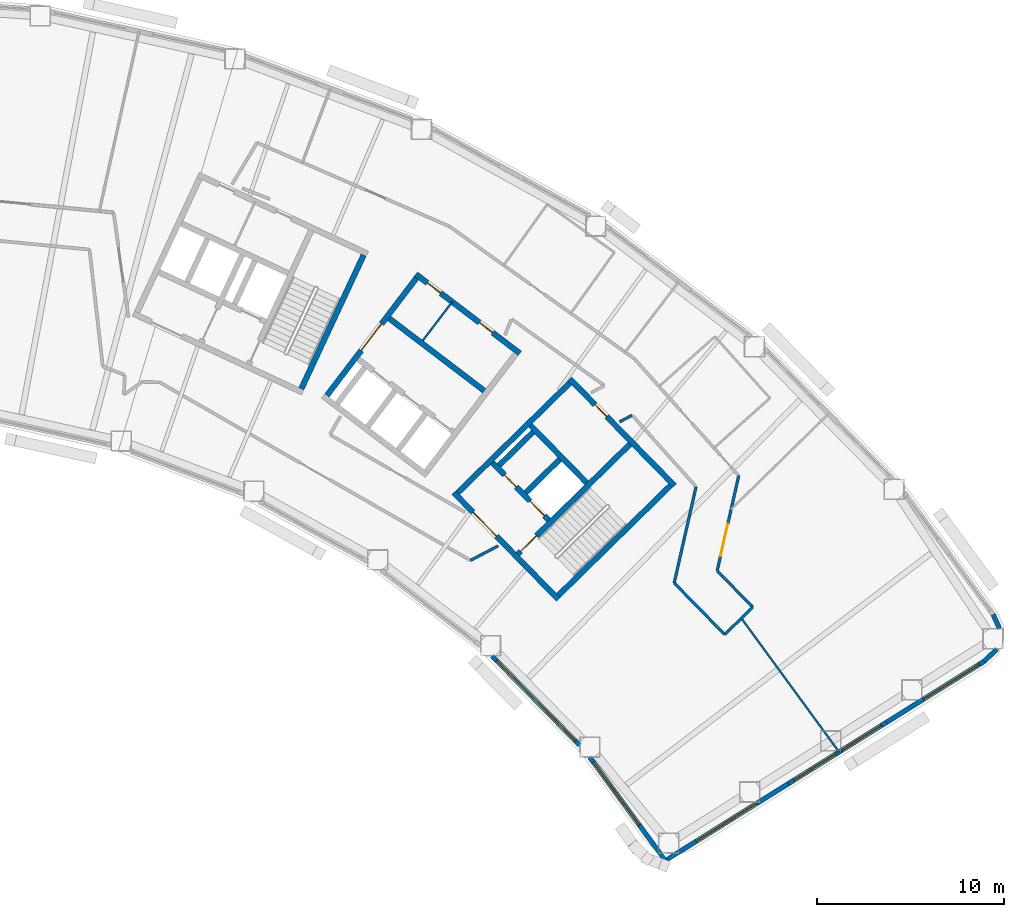
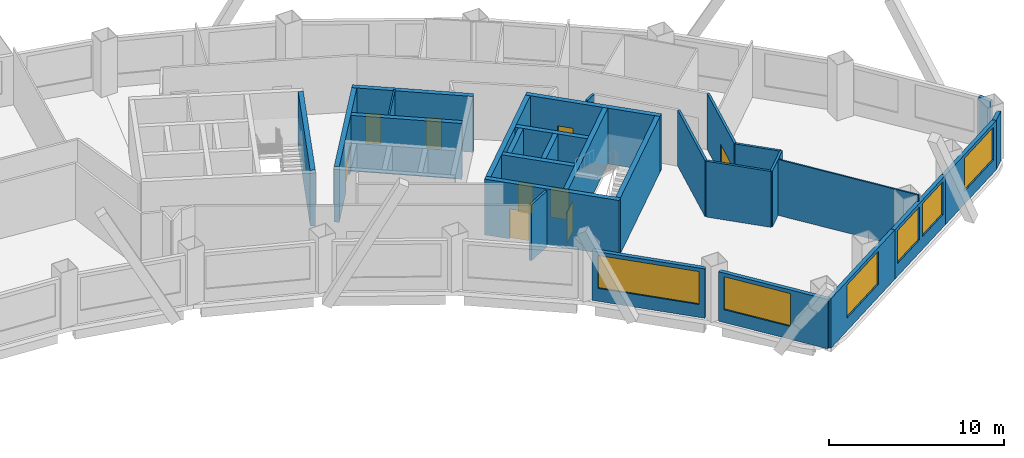
# One storey, part 6 of 11: 29 walls, 9 doors, 6 windows, 15 openings.
"""IFC4 building model written with IfcOpenShell, lengths in metres."""

from ifc_helpers import new_model, si_unit, direction, frame, frame_2d, origin, place, context, subcontext, project, spatial, rectangle, extrude, material, layer, layer_set, type_object, element, fill, save


model = new_model("IFC4")

# Units and contexts
model_context = context("Model", 3, precision=1e-05, world=origin(), true_north=direction((0.0, 1.0)))
body_context = subcontext(model_context, "Body", "Model", "MODEL_VIEW")
ifc_project = project(units=[si_unit("LENGTHUNIT", "METRE"), si_unit("AREAUNIT", "SQUARE_METRE"), si_unit("VOLUMEUNIT", "CUBIC_METRE"), si_unit("PLANEANGLEUNIT", "RADIAN"), si_unit("MASSUNIT", "GRAM", prefix="KILO")], contexts=[model_context])

# Site, building, storey
site_placement = place(None, origin())
site = spatial("IfcSite", under=ifc_project, at=site_placement, CompositionType="ELEMENT")
building_placement = place(site_placement, origin())
building = spatial("IfcBuilding", under=site, at=building_placement, Name="Tuul Gate Civic Tower", CompositionType="ELEMENT")
storey_placement = place(building_placement, frame((0.0, 0.0, 107.699951171875)))
storey = spatial("IfcBuildingStorey", under=building, at=storey_placement, Name="Level 24", CompositionType="ELEMENT", Elevation=107.699951171875)

# Wall, opening, door
ifc_material_1 = material(Name="Concrete C50/60", Category="concrete")
ifc_layer_1 = layer(ifc_material_1, 0.300048828125)
ifc_layer_set_1 = layer_set([ifc_layer_1], Name="Concrete C50/60")
wall_type_1 = type_object("IfcWallType", Name="Core wall C50/60", PredefinedType="SHEAR", material=ifc_layer_set_1)
wall_1_placement = place(storey_placement, frame((48.22509765625, -18.327880859375, 0.0), z_axis=(0.0, 0.0, 1.0), x_axis=(-0.700021979774, 0.714121297703, 0.0)))
wall_1 = element("IfcWall", 1, at=wall_1_placement, inside=storey, type_object=wall_type_1, Name="Core wall", PredefinedType="SHEAR", context=body_context, shape_type="SweptSolid", body=[
    extrude(rectangle(XDim=8.0, YDim=0.300048828125, at=frame_2d((4.0, 0.0))), origin(), (0.0, 0.0, 1.0), 3.900146484375),
])
opening_1_placement = place(wall_1_placement, frame((4.72509765625, 0.0, 0.0)))
opening_1 = element("IfcOpeningElement", 2, at=opening_1_placement, cuts=wall_1, Name="Opening LB-E1-LOBBY-1", PredefinedType="OPENING", context=body_context, shape_type="SweptSolid", body=[
    extrude(rectangle(XDim=1.800048828125, YDim=2.10009765625, at=frame_2d((0.89990234375, 1.050048828125))), frame((0.0, 0.16015625, 0.0), z_axis=(0.0, -1.0, 0.0), x_axis=(1.0, 0.0, 0.0)), (0.0, 0.0, 1.0), 0.320068359375),
])
ifc_material_2 = material(Name="Steel", Category="steel")
door_type_1 = type_object("IfcDoorType", Name="Lobby door", OperationType="DOUBLE_DOOR_SINGLE_SWING", PredefinedType="DOOR", material=ifc_material_2)
door_1_placement = place(opening_1_placement, frame((1.800048828125, 0.0, 0.0), z_axis=(0.0, 0.0, 1.0), x_axis=(-1.0, 0.0, 0.0)))
door_1 = element("IfcDoor", 3, at=door_1_placement, inside=storey, type_object=door_type_1, Name="Lobby door E1-LOBBY", OperationType="DOUBLE_DOOR_SINGLE_SWING", OverallHeight=2.10009765625, OverallWidth=1.800048828125, PredefinedType="DOOR", context=body_context, shape_type="SweptSolid", body=[
    extrude(rectangle(XDim=1.800048828125, YDim=2.10009765625, at=frame_2d((0.900146484375, 1.050048828125))), frame((0.0, 0.02490234375, 0.0), z_axis=(0.0, -1.0, 0.0), x_axis=(1.0, 0.0, 0.0)), (0.0, 0.0, 1.0), 0.050048828125),
])
fill(opening_1, door_1)

# Wall, openings, doors
wall_2_placement = place(storey_placement, frame((47.701904296875, -14.079833984375, 0.0), z_axis=(0.0, 0.0, 1.0), x_axis=(-0.700002721075, 0.714140175657, 0.0)))
wall_2 = element("IfcWall", 4, at=wall_2_placement, inside=storey, type_object=wall_type_1, Name="Core wall", PredefinedType="SHEAR", context=body_context, shape_type="SweptSolid", body=[
    extrude(rectangle(XDim=4.300048828125, YDim=0.300048828125, at=frame_2d((2.14990234375, 0.0))), origin(), (0.0, 0.0, 1.0), 3.900146484375),
])
opening_2_placement = place(wall_2_placement, frame((0.324951171875, 0.0, 0.0)))
opening_2 = element("IfcOpeningElement", 5, at=opening_2_placement, cuts=wall_2, Name="Opening LD-L4", PredefinedType="OPENING", context=body_context, shape_type="SweptSolid", body=[
    extrude(rectangle(XDim=1.10009765625, YDim=2.10009765625, at=frame_2d((0.550048828125, 1.050048828125))), frame((0.0, 0.16015625, 0.0), z_axis=(0.0, -1.0, 0.0), x_axis=(1.0, 0.0, 0.0)), (0.0, 0.0, 1.0), 0.320068359375),
])
opening_3_placement = place(wall_2_placement, frame((2.47509765625, 0.0, 0.0)))
opening_3 = element("IfcOpeningElement", 6, at=opening_3_placement, cuts=wall_2, Name="Opening FB-E1A2", PredefinedType="OPENING", context=body_context, shape_type="SweptSolid", body=[
    extrude(rectangle(XDim=0.89990234375, YDim=2.10009765625, at=frame_2d((0.449951171875, 1.050048828125))), frame((0.0, 0.16015625, 0.0), z_axis=(0.0, -1.0, 0.0), x_axis=(1.0, 0.0, 0.0)), (0.0, 0.0, 1.0), 0.320068359375),
])
ifc_material_3 = material(Name="Stainless steel", Category="steel")
door_type_2 = type_object("IfcDoorType", Name="Landing door", OperationType="DOUBLE_DOOR_SLIDING", PredefinedType="DOOR", material=ifc_material_3)
door_2_placement = place(opening_2_placement, origin())
door_2 = element("IfcDoor", 7, at=door_2_placement, inside=storey, type_object=door_type_2, Name="Low-rise lift L4 landing door", OperationType="DOUBLE_DOOR_SLIDING", OverallHeight=2.10009765625, OverallWidth=1.10009765625, PredefinedType="DOOR", context=body_context, shape_type="SweptSolid", body=[
    extrude(rectangle(XDim=1.10009765625, YDim=2.10009765625, at=frame_2d((0.550048828125, 1.050048828125))), frame((0.0, 0.02490234375, 0.0), z_axis=(0.0, -1.0, 0.0), x_axis=(1.0, 0.0, 0.0)), (0.0, 0.0, 1.0), 0.050048828125),
])
fill(opening_2, door_2)
ifc_material_4 = material(Name="Steel", Category="steel")
door_type_3 = type_object("IfcDoorType", Name="Store door", OperationType="NOTDEFINED", PredefinedType="DOOR", material=ifc_material_4)
door_3_placement = place(opening_3_placement, frame((0.89990234375, 0.0, 0.0), z_axis=(0.0, 0.0, 1.0), x_axis=(-1.0, 0.0, 0.0)))
door_3 = element("IfcDoor", 8, at=door_3_placement, inside=storey, type_object=door_type_3, Name="Store door E1A2", OperationType="SINGLE_SWING_LEFT", OverallHeight=2.10009765625, OverallWidth=0.89990234375, PredefinedType="DOOR", context=body_context, shape_type="SweptSolid", body=[
    extrude(rectangle(XDim=0.89990234375, YDim=2.10009765625, at=frame_2d((0.449951171875, 1.050048828125))), frame((0.0, 0.02490234375, 0.0), z_axis=(0.0, -1.0, 0.0), x_axis=(1.0, 0.0, 0.0)), (0.0, 0.0, 1.0), 0.050048828125),
])
fill(opening_3, door_3)

# Wall
wall_3_placement = place(storey_placement, frame((49.737060546875, -12.0849609375, 0.0), z_axis=(0.0, 0.0, 1.0), x_axis=(-0.700002721075, 0.714140175657, 0.0)))
element("IfcWall", 9, at=wall_3_placement, inside=storey, type_object=wall_type_1, Name="Core wall", PredefinedType="SHEAR", context=body_context, shape_type="SweptSolid", body=[
    extrude(rectangle(XDim=4.300048828125, YDim=0.300048828125, at=frame_2d((2.14990234375, 0.0))), origin(), (0.0, 0.0, 1.0), 3.900146484375),
])

# Wall, opening, door
wall_4_placement = place(storey_placement, frame((54.43798828125, -12.23779296875, 0.0), z_axis=(0.0, 0.0, 1.0), x_axis=(-0.700021979774, 0.714121297703, 0.0)))
wall_4 = element("IfcWall", 10, at=wall_4_placement, inside=storey, type_object=wall_type_1, Name="Core wall", PredefinedType="SHEAR", context=body_context, shape_type="SweptSolid", body=[
    extrude(rectangle(XDim=8.0, YDim=0.300048828125, at=frame_2d((4.0, 0.0))), origin(), (0.0, 0.0, 1.0), 3.900146484375),
])
opening_4_placement = place(wall_4_placement, frame((5.175048828125, 0.0, 0.0)))
opening_4 = element("IfcOpeningElement", 11, at=opening_4_placement, cuts=wall_4, Name="Opening H-D21", PredefinedType="OPENING", context=body_context, shape_type="SweptSolid", body=[
    extrude(rectangle(XDim=0.89990234375, YDim=2.10009765625, at=frame_2d((0.449951171875, 1.050048828125))), frame((0.0, 0.16015625, 0.0), z_axis=(0.0, -1.0, 0.0), x_axis=(1.0, 0.0, 0.0)), (0.0, 0.0, 1.0), 0.320068359375),
])
ifc_material_5 = material(Name="Timber door leaf", Category="wood")
door_type_4 = type_object("IfcDoorType", Name="Door D09", OperationType="NOTDEFINED", PredefinedType="DOOR", material=ifc_material_5)
door_4_placement = place(opening_4_placement, origin())
door_4 = element("IfcDoor", 12, at=door_4_placement, inside=storey, type_object=door_type_4, Name="Door H-D21", OperationType="SINGLE_SWING_LEFT", OverallHeight=2.10009765625, OverallWidth=0.89990234375, PredefinedType="DOOR", context=body_context, shape_type="SweptSolid", body=[
    extrude(rectangle(XDim=0.89990234375, YDim=2.10009765625, at=frame_2d((0.449951171875, 1.050048828125))), frame((0.0, 0.02490234375, 0.0), z_axis=(0.0, -1.0, 0.0), x_axis=(1.0, 0.0, 0.0)), (0.0, 0.0, 1.0), 0.050048828125),
])
fill(opening_4, door_4)

# Wall
wall_5_placement = place(storey_placement, frame((48.227294921875, -18.115966796875, 0.0), z_axis=(0.0, 0.0, 1.0), x_axis=(0.714105315431, 0.700038283577, 0.0)))
element("IfcWall", 13, at=wall_5_placement, inside=storey, type_object=wall_type_1, Name="Core wall", PredefinedType="SHEAR", context=body_context, shape_type="SweptSolid", body=[
    extrude(rectangle(XDim=8.400146484375, YDim=0.300048828125, at=frame_2d((4.2001953125, 0.0))), origin(), (0.0, 0.0, 1.0), 3.900146484375),
])

# Wall, opening, door
wall_6_placement = place(storey_placement, frame((46.05712890625, -15.902099609375, 0.0), z_axis=(0.0, 0.0, 1.0), x_axis=(0.714134086973, 0.700008932674, 0.0)))
wall_6 = element("IfcWall", 14, at=wall_6_placement, inside=storey, type_object=wall_type_1, Name="Core wall", PredefinedType="SHEAR", context=body_context, shape_type="SweptSolid", body=[
    extrude(rectangle(XDim=8.400146484375, YDim=0.300048828125, at=frame_2d((4.2001953125, 0.0))), origin(), (0.0, 0.0, 1.0), 3.900146484375),
])
opening_5_placement = place(wall_6_placement, frame((0.199951171875, 0.0, 0.0)))
opening_5 = element("IfcOpeningElement", 15, at=opening_5_placement, cuts=wall_6, Name="Opening SD-ST-3", PredefinedType="OPENING", context=body_context, shape_type="SweptSolid", body=[
    extrude(rectangle(XDim=1.199951171875, YDim=2.10009765625, at=frame_2d((0.60009765625, 1.050048828125))), frame((0.0, 0.16015625, 0.0), z_axis=(0.0, -1.0, 0.0), x_axis=(1.0, 0.0, 0.0)), (0.0, 0.0, 1.0), 0.320068359375),
])
ifc_material_6 = material(Name="Steel", Category="steel")
door_type_5 = type_object("IfcDoorType", Name="Stair door", OperationType="NOTDEFINED", PredefinedType="DOOR", material=ifc_material_6)
door_5_placement = place(opening_5_placement, origin())
door_5 = element("IfcDoor", 16, at=door_5_placement, inside=storey, type_object=door_type_5, Name="Stair door ST-3", OperationType="SINGLE_SWING_LEFT", OverallHeight=2.10009765625, OverallWidth=1.199951171875, PredefinedType="DOOR", context=body_context, shape_type="SweptSolid", body=[
    extrude(rectangle(XDim=1.199951171875, YDim=2.10009765625, at=frame_2d((0.60009765625, 1.050048828125))), frame((0.0, 0.02490234375, 0.0), z_axis=(0.0, -1.0, 0.0), x_axis=(1.0, 0.0, 0.0)), (0.0, 0.0, 1.0), 0.050048828125),
])
fill(opening_5, door_5)

# Walls
wall_7_placement = place(storey_placement, frame((46.47900390625, -12.617919921875, 0.0), z_axis=(0.0, 0.0, 1.0), x_axis=(0.71410944159, 0.700034074479, 0.0)))
element("IfcWall", 17, at=wall_7_placement, inside=storey, type_object=wall_type_1, Name="Core wall", PredefinedType="SHEAR", context=body_context, shape_type="SweptSolid", body=[
    extrude(rectangle(XDim=2.5498046875, YDim=0.300048828125, at=frame_2d((1.27490234375, 0.0))), origin(), (0.0, 0.0, 1.0), 3.900146484375),
])
wall_8_placement = place(storey_placement, frame((45.0439453125, -11.154052734375, 0.0), z_axis=(0.0, 0.0, 1.0), x_axis=(0.714108498262, 0.700035036773, 0.0)))
element("IfcWall", 18, at=wall_8_placement, inside=storey, type_object=wall_type_1, Name="Core wall", PredefinedType="SHEAR", context=body_context, shape_type="SweptSolid", body=[
    extrude(rectangle(XDim=2.550048828125, YDim=0.300048828125, at=frame_2d((1.27490234375, 0.0))), origin(), (0.0, 0.0, 1.0), 3.900146484375),
])
wall_9_placement = place(storey_placement, frame((42.837158203125, -12.616943359375, 0.0), z_axis=(0.0, 0.0, 1.0), x_axis=(0.714119844755, 0.700023461983, 0.0)))
element("IfcWall", 19, at=wall_9_placement, inside=storey, type_object=wall_type_1, Name="Core wall", PredefinedType="SHEAR", context=body_context, shape_type="SweptSolid", body=[
    extrude(rectangle(XDim=8.39990234375, YDim=0.300048828125, at=frame_2d((4.199951171875, 0.0))), origin(), (0.0, 0.0, 1.0), 3.900146484375),
])
wall_10_placement = place(storey_placement, frame((34.455810546875, -7.05078125, 0.0), z_axis=(0.0, 0.0, 1.0), x_axis=(0.422570768258, 0.906329932096, 0.0)))
element("IfcWall", 20, at=wall_10_placement, inside=storey, type_object=wall_type_1, Name="Core wall", PredefinedType="SHEAR", context=body_context, shape_type="SweptSolid", body=[
    extrude(rectangle(XDim=7.900146484375, YDim=0.300048828125, at=frame_2d((3.9501953125, 0.0))), origin(), (0.0, 0.0, 1.0), 3.900146484375),
])
ifc_material_7 = material(Name="Gypsum board partition")
ifc_layer_2 = layer(ifc_material_7, 0.14990234375)
ifc_layer_set_2 = layer_set([ifc_layer_2], Name="Gypsum board partition")
wall_type_2 = type_object("IfcWallType", Name="Corridor wall P150", PredefinedType="PARTITIONING", material=ifc_layer_set_2)
wall_11_placement = place(storey_placement, frame((57.13330078125, -20.214599609375, 0.0), z_axis=(0.0, 0.0, 1.0), x_axis=(0.714162857284, 0.699979580613, 0.0)))
element("IfcWall", 21, at=wall_11_placement, inside=storey, type_object=wall_type_2, Name="p002", PredefinedType="PARTITIONING", context=body_context, shape_type="SweptSolid", body=[
    extrude(rectangle(XDim=2.10009765625, YDim=0.14990234375, at=frame_2d((1.050048828125, 0.0))), origin(), (0.0, 0.0, 1.0), 3.900146484375),
])
wall_12_placement = place(storey_placement, frame((56.735107421875, -16.80859375, 0.0), z_axis=(0.0, 0.0, 1.0), x_axis=(0.700048002163, -0.71409578816, 0.0)))
element("IfcWall", 22, at=wall_12_placement, inside=storey, type_object=wall_type_2, Name="p003", PredefinedType="PARTITIONING", context=body_context, shape_type="SweptSolid", body=[
    extrude(rectangle(XDim=2.711181640625, YDim=0.14990234375, at=frame_2d((1.35546875, 0.0))), origin(), (0.0, 0.0, 1.0), 3.900146484375),
])

# Wall, opening, door
wall_13_placement = place(storey_placement, frame((56.729248046875, -16.794677734375, 0.0), z_axis=(0.0, 0.0, 1.0), x_axis=(0.221165877897, 0.975236204442, 0.0)))
wall_13 = element("IfcWall", 23, at=wall_13_placement, inside=storey, type_object=wall_type_2, Name="p004", PredefinedType="PARTITIONING", context=body_context, shape_type="SweptSolid", body=[
    extrude(rectangle(XDim=5.2158203125, YDim=0.14990234375, at=frame_2d((2.60791015625, 0.0))), origin(), (0.0, 0.0, 1.0), 3.900146484375),
])
opening_6_placement = place(wall_13_placement, frame((0.78564453125, 0.0, 0.0)))
opening_6 = element("IfcOpeningElement", 24, at=opening_6_placement, cuts=wall_13, Name="Opening H-D01", PredefinedType="OPENING", context=body_context, shape_type="SweptSolid", body=[
    extrude(rectangle(XDim=1.800048828125, YDim=2.10009765625, at=frame_2d((0.89990234375, 1.050048828125))), frame((0.0, 0.0849609375, 0.0), z_axis=(0.0, -1.0, 0.0), x_axis=(1.0, 0.0, 0.0)), (0.0, 0.0, 1.0), 0.169921875),
])
ifc_material_8 = material(Name="Timber door leaf, double", Category="wood")
door_type_6 = type_object("IfcDoorType", Name="Door D18", OperationType="DOUBLE_DOOR_SINGLE_SWING", PredefinedType="DOOR", material=ifc_material_8)
door_6_placement = place(opening_6_placement, frame((1.800048828125, 0.0, 0.0), z_axis=(0.0, 0.0, 1.0), x_axis=(-1.0, 0.0, 0.0)))
door_6 = element("IfcDoor", 25, at=door_6_placement, inside=storey, type_object=door_type_6, Name="Door H-D01", OperationType="DOUBLE_DOOR_SINGLE_SWING", OverallHeight=2.10009765625, OverallWidth=1.800048828125, PredefinedType="DOOR", context=body_context, shape_type="SweptSolid", body=[
    extrude(rectangle(XDim=1.800048828125, YDim=2.10009765625, at=frame_2d((0.900146484375, 1.050048828125))), frame((0.0, 0.02490234375, 0.0), z_axis=(0.0, -1.0, 0.0), x_axis=(1.0, 0.0, 0.0)), (0.0, 0.0, 1.0), 0.050048828125),
])
fill(opening_6, door_6)

# Walls
wall_14_placement = place(storey_placement, frame((43.515869140625, -16.243408203125, 0.0), z_axis=(0.0, 0.0, 1.0), x_axis=(0.885325882858, 0.46497105409, 0.0)))
element("IfcWall", 26, at=wall_14_placement, inside=storey, type_object=wall_type_2, Name="p064", PredefinedType="PARTITIONING", context=body_context, shape_type="SweptSolid", body=[
    extrude(rectangle(XDim=1.67431640625, YDim=0.14990234375, at=frame_2d((0.837158203125, 0.0))), origin(), (0.0, 0.0, 1.0), 3.900146484375),
])
wall_15_placement = place(storey_placement, frame((51.510009765625, -8.822509765625, 0.0), z_axis=(0.0, 0.0, 1.0), x_axis=(0.881307973223, 0.472542332849, 0.0)))
element("IfcWall", 27, at=wall_15_placement, inside=storey, type_object=wall_type_2, Name="p065", PredefinedType="PARTITIONING", context=body_context, shape_type="SweptSolid", body=[
    extrude(rectangle(XDim=0.73876953125, YDim=0.14990234375, at=frame_2d((0.369384765625, 0.0))), origin(), (0.0, 0.0, 1.0), 3.900146484375),
])
wall_16_placement = place(storey_placement, frame((54.42578125, -17.452392578125, 0.0), z_axis=(0.0, 0.0, 1.0), x_axis=(0.221368990487, 0.975190119951, 0.0)))
element("IfcWall", 28, at=wall_16_placement, inside=storey, type_object=wall_type_2, Name="p067", PredefinedType="PARTITIONING", context=body_context, shape_type="SweptSolid", body=[
    extrude(rectangle(XDim=5.27392578125, YDim=0.14990234375, at=frame_2d((2.636962890625, 0.0))), origin(), (0.0, 0.0, 1.0), 3.900146484375),
])
wall_17_placement = place(storey_placement, frame((54.42578125, -17.452392578125, 0.0), z_axis=(0.0, 0.0, 1.0), x_axis=(0.700001989111, -0.71414089313, 0.0)))
element("IfcWall", 29, at=wall_17_placement, inside=storey, type_object=wall_type_2, Name="p068", PredefinedType="PARTITIONING", context=body_context, shape_type="SweptSolid", body=[
    extrude(rectangle(XDim=3.867919921875, YDim=0.14990234375, at=frame_2d((1.93408203125, 0.0))), origin(), (0.0, 0.0, 1.0), 3.900146484375),
])
ifc_material_9 = material(Name="Precast concrete C40/50", Category="concrete")
ifc_layer_3 = layer(ifc_material_9, 0.25)
ifc_layer_set_3 = layer_set([ifc_layer_3], Name="Precast concrete C40/50")
wall_type_3 = type_object("IfcWallType", Name="External wall", PredefinedType="STANDARD", material=ifc_layer_set_3)
wall_18_placement = place(storey_placement, frame((71.01953125, -21.65478515625, 0.0), z_axis=(0.0, 0.0, 1.0), x_axis=(0.721494337976, 0.692420334961, 0.0)))
element("IfcWall", 30, at=wall_18_placement, inside=storey, type_object=wall_type_3, Name="External wall", PredefinedType="STANDARD", context=body_context, shape_type="SweptSolid", body=[
    extrude(rectangle(XDim=0.957275390625, YDim=0.25, at=frame_2d((0.478515625, 0.0))), origin(), (0.0, 0.0, 1.0), 3.449951171875),
])
wall_19_placement = place(storey_placement, frame((71.84765625, -19.89208984375, 0.0), z_axis=(0.0, 0.0, 1.0), x_axis=(-0.412982206982, 0.910739093658, 0.0)))
element("IfcWall", 31, at=wall_19_placement, inside=storey, type_object=wall_type_3, Name="External wall", PredefinedType="STANDARD", context=body_context, shape_type="SweptSolid", body=[
    extrude(rectangle(XDim=0.829345703125, YDim=0.25, at=frame_2d((0.41455078125, 0.0))), origin(), (0.0, 0.0, 1.0), 3.449951171875),
])

# Wall, opening, window
wall_20_placement = place(storey_placement, frame((44.679931640625, -21.366943359375, 0.0), z_axis=(0.0, 0.0, 1.0), x_axis=(0.700023947057, -0.714119369256, 0.0)))
wall_20 = element("IfcWall", 32, at=wall_20_placement, inside=storey, type_object=wall_type_3, Name="External wall", PredefinedType="STANDARD", context=body_context, shape_type="SweptSolid", body=[
    extrude(rectangle(XDim=6.685791015625, YDim=0.25, at=frame_2d((3.3427734375, 0.0))), origin(), (0.0, 0.0, 1.0), 3.449951171875),
])
opening_7_placement = place(wall_20_placement, frame((0.343994140625, 0.0, 0.89990234375)))
opening_7 = element("IfcOpeningElement", 33, at=opening_7_placement, cuts=wall_20, Name="Opening W26", PredefinedType="OPENING", context=body_context, shape_type="SweptSolid", body=[
    extrude(rectangle(XDim=6.0, YDim=2.300048828125, at=frame_2d((3.0, 1.14990234375))), frame((0.0, 0.135009765625, 0.0), z_axis=(0.0, -1.0, 0.0), x_axis=(1.0, 0.0, 0.0)), (0.0, 0.0, 1.0), 0.27001953125),
])
ifc_material_10 = material(Name="Glass", Category="glass")
window_type_1 = type_object("IfcWindowType", Name="Window W26 6000 x 2300", PartitioningType="SINGLE_PANEL", PredefinedType="WINDOW", material=ifc_material_10)
window_1_placement = place(opening_7_placement, origin())
window_1 = element("IfcWindow", 34, at=window_1_placement, inside=storey, type_object=window_type_1, Name="Window", OverallHeight=2.300048828125, OverallWidth=6.0, PartitioningType="SINGLE_PANEL", PredefinedType="WINDOW", context=body_context, shape_type="SweptSolid", body=[
    extrude(rectangle(XDim=6.0, YDim=2.300048828125, at=frame_2d((3.0, 1.14990234375))), frame((0.0, 0.030029296875, 0.0), z_axis=(0.0, -1.0, 0.0), x_axis=(1.0, 0.0, 0.0)), (0.0, 0.0, 1.0), 0.06005859375),
])
fill(opening_7, window_1)

wall_21_placement = place(storey_placement, frame((49.9091796875, -26.7880859375, 0.0), z_axis=(0.0, 0.0, 1.0), x_axis=(0.589741263703, -0.807592249769, 0.0)))
wall_21 = element("IfcWall", 35, at=wall_21_placement, inside=storey, type_object=wall_type_3, Name="External wall", PredefinedType="STANDARD", context=body_context, shape_type="SweptSolid", body=[
    extrude(rectangle(XDim=6.848388671875, YDim=0.25, at=frame_2d((3.42431640625, 0.0))), origin(), (0.0, 0.0, 1.0), 3.449951171875),
])
opening_8_placement = place(wall_21_placement, frame((0.341796875, 0.0, 0.89990234375)))
opening_8 = element("IfcOpeningElement", 36, at=opening_8_placement, cuts=wall_21, Name="Opening W25", PredefinedType="OPENING", context=body_context, shape_type="SweptSolid", body=[
    extrude(rectangle(XDim=4.14990234375, YDim=2.300048828125, at=frame_2d((2.074951171875, 1.14990234375))), frame((0.0, 0.135009765625, 0.0), z_axis=(0.0, -1.0, 0.0), x_axis=(1.0, 0.0, 0.0)), (0.0, 0.0, 1.0), 0.27001953125),
])
ifc_material_11 = material(Name="Glass", Category="glass")
window_type_2 = type_object("IfcWindowType", Name="Window W25 4150 x 2300", PartitioningType="SINGLE_PANEL", PredefinedType="WINDOW", material=ifc_material_11)
window_2_placement = place(opening_8_placement, origin())
window_2 = element("IfcWindow", 37, at=window_2_placement, inside=storey, type_object=window_type_2, Name="Window", OverallHeight=2.300048828125, OverallWidth=4.14990234375, PartitioningType="SINGLE_PANEL", PredefinedType="WINDOW", context=body_context, shape_type="SweptSolid", body=[
    extrude(rectangle(XDim=4.14990234375, YDim=2.300048828125, at=frame_2d((2.074951171875, 1.14990234375))), frame((0.0, 0.030029296875, 0.0), z_axis=(0.0, -1.0, 0.0), x_axis=(1.0, 0.0, 0.0)), (0.0, 0.0, 1.0), 0.06005859375),
])
fill(opening_8, window_2)

wall_22_placement = place(storey_placement, frame((53.947998046875, -32.31884765625, 0.0), z_axis=(0.0, 0.0, 1.0), x_axis=(0.848051131154, 0.529914407191, 0.0)))
wall_22 = element("IfcWall", 38, at=wall_22_placement, inside=storey, type_object=wall_type_3, Name="External wall", PredefinedType="STANDARD", context=body_context, shape_type="SweptSolid", body=[
    extrude(rectangle(XDim=7.788330078125, YDim=0.25, at=frame_2d((3.89404296875, 0.0))), origin(), (0.0, 0.0, 1.0), 3.449951171875),
])
opening_9_placement = place(wall_22_placement, frame((1.944091796875, 0.0, 0.89990234375)))
opening_9 = element("IfcOpeningElement", 39, at=opening_9_placement, cuts=wall_22, Name="Opening W22", PredefinedType="OPENING", context=body_context, shape_type="SweptSolid", body=[
    extrude(rectangle(XDim=3.85009765625, YDim=2.300048828125, at=frame_2d((1.925048828125, 1.14990234375))), frame((0.0, 0.135009765625, 0.0), z_axis=(0.0, -1.0, 0.0), x_axis=(1.0, 0.0, 0.0)), (0.0, 0.0, 1.0), 0.27001953125),
])
ifc_material_12 = material(Name="Glass", Category="glass")
window_type_3 = type_object("IfcWindowType", Name="Window W22 3850 x 2300", PartitioningType="SINGLE_PANEL", PredefinedType="WINDOW", material=ifc_material_12)
window_3_placement = place(opening_9_placement, origin())
window_3 = element("IfcWindow", 40, at=window_3_placement, inside=storey, type_object=window_type_3, Name="Window", OverallHeight=2.300048828125, OverallWidth=3.85009765625, PartitioningType="SINGLE_PANEL", PredefinedType="WINDOW", context=body_context, shape_type="SweptSolid", body=[
    extrude(rectangle(XDim=3.85009765625, YDim=2.300048828125, at=frame_2d((1.925048828125, 1.14990234375))), frame((0.0, 0.030029296875, 0.0), z_axis=(0.0, -1.0, 0.0), x_axis=(1.0, 0.0, 0.0)), (0.0, 0.0, 1.0), 0.06005859375),
])
fill(opening_9, window_3)

# Wall, openings, windows
wall_23_placement = place(storey_placement, frame((60.552978515625, -28.191650390625, 0.0), z_axis=(0.0, 0.0, 1.0), x_axis=(0.848053758074, 0.529910203164, 0.0)))
wall_23 = element("IfcWall", 41, at=wall_23_placement, inside=storey, type_object=wall_type_3, Name="External wall", PredefinedType="STANDARD", context=body_context, shape_type="SweptSolid", body=[
    extrude(rectangle(XDim=6.182861328125, YDim=0.25, at=frame_2d((3.09130859375, 0.0))), origin(), (0.0, 0.0, 1.0), 3.449951171875),
])
opening_10_placement = place(wall_23_placement, frame((0.339111328125, 0.0, 0.89990234375)))
opening_10 = element("IfcOpeningElement", 42, at=opening_10_placement, cuts=wall_23, Name="Opening W37", PredefinedType="OPENING", context=body_context, shape_type="SweptSolid", body=[
    extrude(rectangle(XDim=2.64990234375, YDim=2.300048828125, at=frame_2d((1.324951171875, 1.14990234375))), frame((0.0, 0.135009765625, 0.0), z_axis=(0.0, -1.0, 0.0), x_axis=(1.0, 0.0, 0.0)), (0.0, 0.0, 1.0), 0.27001953125),
])
opening_11_placement = place(wall_23_placement, frame((3.3642578125, 0.0, 0.89990234375)))
opening_11 = element("IfcOpeningElement", 43, at=opening_11_placement, cuts=wall_23, Name="Opening W38", PredefinedType="OPENING", context=body_context, shape_type="SweptSolid", body=[
    extrude(rectangle(XDim=2.5, YDim=2.300048828125, at=frame_2d((1.25, 1.14990234375))), frame((0.0, 0.135009765625, 0.0), z_axis=(0.0, -1.0, 0.0), x_axis=(1.0, 0.0, 0.0)), (0.0, 0.0, 1.0), 0.27001953125),
])
ifc_material_13 = material(Name="Glass", Category="glass")
window_type_4 = type_object("IfcWindowType", Name="Window 2500 x 2300", PartitioningType="SINGLE_PANEL", PredefinedType="WINDOW", material=ifc_material_13)
window_4_placement = place(opening_11_placement, origin())
window_4 = element("IfcWindow", 44, at=window_4_placement, inside=storey, type_object=window_type_4, Name="Window", OverallHeight=2.300048828125, OverallWidth=2.5, PartitioningType="SINGLE_PANEL", PredefinedType="WINDOW", context=body_context, shape_type="SweptSolid", body=[
    extrude(rectangle(XDim=2.5, YDim=2.300048828125, at=frame_2d((1.25, 1.14990234375))), frame((0.0, 0.030029296875, 0.0), z_axis=(0.0, -1.0, 0.0), x_axis=(1.0, 0.0, 0.0)), (0.0, 0.0, 1.0), 0.06005859375),
])
fill(opening_11, window_4)
ifc_material_14 = material(Name="Glass", Category="glass")
window_type_5 = type_object("IfcWindowType", Name="Window 2650 x 2300", PartitioningType="SINGLE_PANEL", PredefinedType="WINDOW", material=ifc_material_14)
window_5_placement = place(opening_10_placement, origin())
window_5 = element("IfcWindow", 45, at=window_5_placement, inside=storey, type_object=window_type_5, Name="Window", OverallHeight=2.300048828125, OverallWidth=2.64990234375, PartitioningType="SINGLE_PANEL", PredefinedType="WINDOW", context=body_context, shape_type="SweptSolid", body=[
    extrude(rectangle(XDim=2.64990234375, YDim=2.300048828125, at=frame_2d((1.324951171875, 1.14990234375))), frame((0.0, 0.030029296875, 0.0), z_axis=(0.0, -1.0, 0.0), x_axis=(1.0, 0.0, 0.0)), (0.0, 0.0, 1.0), 0.06005859375),
])
fill(opening_10, window_5)

# Wall, opening, window
wall_24_placement = place(storey_placement, frame((65.79638671875, -24.915283203125, 0.0), z_axis=(0.0, 0.0, 1.0), x_axis=(0.848053758074, 0.529910203164, 0.0)))
wall_24 = element("IfcWall", 46, at=wall_24_placement, inside=storey, type_object=wall_type_3, Name="External wall", PredefinedType="STANDARD", context=body_context, shape_type="SweptSolid", body=[
    extrude(rectangle(XDim=6.182861328125, YDim=0.25, at=frame_2d((3.09130859375, 0.0))), origin(), (0.0, 0.0, 1.0), 3.449951171875),
])
opening_12_placement = place(wall_24_placement, frame((2.30908203125, 0.0, 0.89990234375)))
opening_12 = element("IfcOpeningElement", 47, at=opening_12_placement, cuts=wall_24, Name="Opening W112", PredefinedType="OPENING", context=body_context, shape_type="SweptSolid", body=[
    extrude(rectangle(XDim=3.550048828125, YDim=2.300048828125, at=frame_2d((1.77490234375, 1.14990234375))), frame((0.0, 0.135009765625, 0.0), z_axis=(0.0, -1.0, 0.0), x_axis=(1.0, 0.0, 0.0)), (0.0, 0.0, 1.0), 0.27001953125),
])
ifc_material_15 = material(Name="Glass", Category="glass")
window_type_6 = type_object("IfcWindowType", Name="Window W112 3550 x 2300", PartitioningType="SINGLE_PANEL", PredefinedType="WINDOW", material=ifc_material_15)
window_6_placement = place(opening_12_placement, origin())
window_6 = element("IfcWindow", 48, at=window_6_placement, inside=storey, type_object=window_type_6, Name="Window", OverallHeight=2.300048828125, OverallWidth=3.550048828125, PartitioningType="SINGLE_PANEL", PredefinedType="WINDOW", context=body_context, shape_type="SweptSolid", body=[
    extrude(rectangle(XDim=3.550048828125, YDim=2.300048828125, at=frame_2d((1.77490234375, 1.14990234375))), frame((0.0, 0.030029296875, 0.0), z_axis=(0.0, -1.0, 0.0), x_axis=(1.0, 0.0, 0.0)), (0.0, 0.0, 1.0), 0.06005859375),
])
fill(opening_12, window_6)

# Wall
ifc_material_16 = material(Name="Concrete C40/50", Category="concrete")
ifc_layer_4 = layer(ifc_material_16, 0.300048828125)
ifc_layer_set_4 = layer_set([ifc_layer_4], Name="Concrete C40/50")
wall_type_4 = type_object("IfcWallType", Name="Lift shaft wall C40/50", PredefinedType="STANDARD", material=ifc_layer_set_4)
wall_25_placement = place(storey_placement, frame((44.254638671875, -7.15966796875, 0.0), z_axis=(0.0, 0.0, 1.0), x_axis=(-0.795565675562, 0.605867358312, 0.0)))
element("IfcWall", 49, at=wall_25_placement, inside=storey, type_object=wall_type_4, Name="Shaft wall", PredefinedType="STANDARD", context=body_context, shape_type="SweptSolid", body=[
    extrude(rectangle(XDim=6.400146484375, YDim=0.300048828125, at=frame_2d((3.2001953125, 0.0))), origin(), (0.0, 0.0, 1.0), 3.900146484375),
])

# Wall, openings, doors
wall_26_placement = place(storey_placement, frame((46.1591796875, -5.1533203125, 0.0), z_axis=(0.0, 0.0, 1.0), x_axis=(-0.795579811045, 0.605848796531, 0.0)))
wall_26 = element("IfcWall", 50, at=wall_26_placement, inside=storey, type_object=wall_type_4, Name="Shaft wall", PredefinedType="STANDARD", context=body_context, shape_type="SweptSolid", body=[
    extrude(rectangle(XDim=7.0, YDim=0.300048828125, at=frame_2d((3.5, 0.0))), origin(), (0.0, 0.0, 1.0), 3.900146484375),
])
opening_13_placement = place(wall_26_placement, frame((1.824951171875, 0.0, 0.0)))
opening_13 = element("IfcOpeningElement", 51, at=opening_13_placement, cuts=wall_26, Name="Opening H-D19", PredefinedType="OPENING", context=body_context, shape_type="SweptSolid", body=[
    extrude(rectangle(XDim=0.89990234375, YDim=2.10009765625, at=frame_2d((0.449951171875, 1.050048828125))), frame((0.0, 0.16015625, 0.0), z_axis=(0.0, -1.0, 0.0), x_axis=(1.0, 0.0, 0.0)), (0.0, 0.0, 1.0), 0.320068359375),
])
opening_14_placement = place(wall_26_placement, frame((5.324951171875, 0.0, 0.0)))
opening_14 = element("IfcOpeningElement", 52, at=opening_14_placement, cuts=wall_26, Name="Opening H-D20", PredefinedType="OPENING", context=body_context, shape_type="SweptSolid", body=[
    extrude(rectangle(XDim=0.89990234375, YDim=2.10009765625, at=frame_2d((0.449951171875, 1.050048828125))), frame((0.0, 0.16015625, 0.0), z_axis=(0.0, -1.0, 0.0), x_axis=(1.0, 0.0, 0.0)), (0.0, 0.0, 1.0), 0.320068359375),
])
door_7_placement = place(opening_13_placement, origin())
door_7 = element("IfcDoor", 53, at=door_7_placement, inside=storey, type_object=door_type_4, Name="Door H-D19", OperationType="SINGLE_SWING_LEFT", OverallHeight=2.10009765625, OverallWidth=0.89990234375, PredefinedType="DOOR", context=body_context, shape_type="SweptSolid", body=[
    extrude(rectangle(XDim=0.89990234375, YDim=2.10009765625, at=frame_2d((0.449951171875, 1.050048828125))), frame((0.0, 0.02490234375, 0.0), z_axis=(0.0, -1.0, 0.0), x_axis=(1.0, 0.0, 0.0)), (0.0, 0.0, 1.0), 0.050048828125),
])
fill(opening_13, door_7)
door_8_placement = place(opening_14_placement, origin())
door_8 = element("IfcDoor", 54, at=door_8_placement, inside=storey, type_object=door_type_4, Name="Door H-D20", OperationType="SINGLE_SWING_RIGHT", OverallHeight=2.10009765625, OverallWidth=0.89990234375, PredefinedType="DOOR", context=body_context, shape_type="SweptSolid", body=[
    extrude(rectangle(XDim=0.89990234375, YDim=2.10009765625, at=frame_2d((0.449951171875, 1.050048828125))), frame((0.0, 0.02490234375, 0.0), z_axis=(0.0, -1.0, 0.0), x_axis=(1.0, 0.0, 0.0)), (0.0, 0.0, 1.0), 0.050048828125),
])
fill(opening_14, door_8)

# Wall, opening, door
wall_27_placement = place(storey_placement, frame((35.8330078125, -7.408203125, 0.0), z_axis=(0.0, 0.0, 1.0), x_axis=(0.605769437763, 0.795640237967, 0.0)))
wall_27 = element("IfcWall", 55, at=wall_27_placement, inside=storey, type_object=wall_type_4, Name="Shaft wall", PredefinedType="STANDARD", context=body_context, shape_type="SweptSolid", body=[
    extrude(rectangle(XDim=7.900146484375, YDim=0.300048828125, at=frame_2d((3.9501953125, 0.0))), origin(), (0.0, 0.0, 1.0), 3.900146484375),
])
opening_15_placement = place(wall_27_placement, frame((3.02490234375, 0.0, 0.0)))
opening_15 = element("IfcOpeningElement", 56, at=opening_15_placement, cuts=wall_27, Name="Opening LB-E2-LOBBY-1", PredefinedType="OPENING", context=body_context, shape_type="SweptSolid", body=[
    extrude(rectangle(XDim=1.800048828125, YDim=2.10009765625, at=frame_2d((0.89990234375, 1.050048828125))), frame((0.0, 0.16015625, 0.0), z_axis=(0.0, -1.0, 0.0), x_axis=(1.0, 0.0, 0.0)), (0.0, 0.0, 1.0), 0.320068359375),
])
door_9_placement = place(opening_15_placement, frame((1.800048828125, 0.0, 0.0), z_axis=(0.0, 0.0, 1.0), x_axis=(-1.0, 0.0, 0.0)))
door_9 = element("IfcDoor", 57, at=door_9_placement, inside=storey, type_object=door_type_1, Name="Lobby door E2-LOBBY", OperationType="DOUBLE_DOOR_SINGLE_SWING", OverallHeight=2.10009765625, OverallWidth=1.800048828125, PredefinedType="DOOR", context=body_context, shape_type="SweptSolid", body=[
    extrude(rectangle(XDim=1.800048828125, YDim=2.10009765625, at=frame_2d((0.900146484375, 1.050048828125))), frame((0.0, 0.02490234375, 0.0), z_axis=(0.0, -1.0, 0.0), x_axis=(1.0, 0.0, 0.0)), (0.0, 0.0, 1.0), 0.050048828125),
])
fill(opening_15, door_9)

# Walls
ifc_material_17 = material(Name="Gypsum board partition")
ifc_layer_5 = layer(ifc_material_17, 0.10009765625)
ifc_layer_set_5 = layer_set([ifc_layer_5], Name="Gypsum board partition")
wall_type_5 = type_object("IfcWallType", Name="Partition P100", PredefinedType="PARTITIONING", material=ifc_layer_set_5)
wall_28_placement = place(storey_placement, frame((58.03271484375, -19.352783203125, 0.0), z_axis=(0.0, 0.0, 1.0), x_axis=(0.589815518848, -0.807538019988, 0.0)))
element("IfcWall", 58, at=wall_28_placement, inside=storey, type_object=wall_type_5, Name="p001", PredefinedType="PARTITIONING", context=body_context, shape_type="SweptSolid", body=[
    extrude(rectangle(XDim=8.859619140625, YDim=0.10009765625, at=frame_2d((4.4296875, 0.0))), origin(), (0.0, 0.0, 1.0), 3.900146484375),
])
wall_29_placement = place(storey_placement, frame((40.96435546875, -4.46533203125, 0.0), z_axis=(0.0, 0.0, 1.0), x_axis=(0.605768745095, 0.795640765337, 0.0)))
element("IfcWall", 59, at=wall_29_placement, inside=storey, type_object=wall_type_5, Name="bE2-BAND-0", PredefinedType="PARTITIONING", context=body_context, shape_type="SweptSolid", body=[
    extrude(rectangle(XDim=2.599853515625, YDim=0.10009765625, at=frame_2d((1.2998046875, 0.0))), origin(), (0.0, 0.0, 1.0), 3.900146484375),
])

save(model, "model.ifc")
